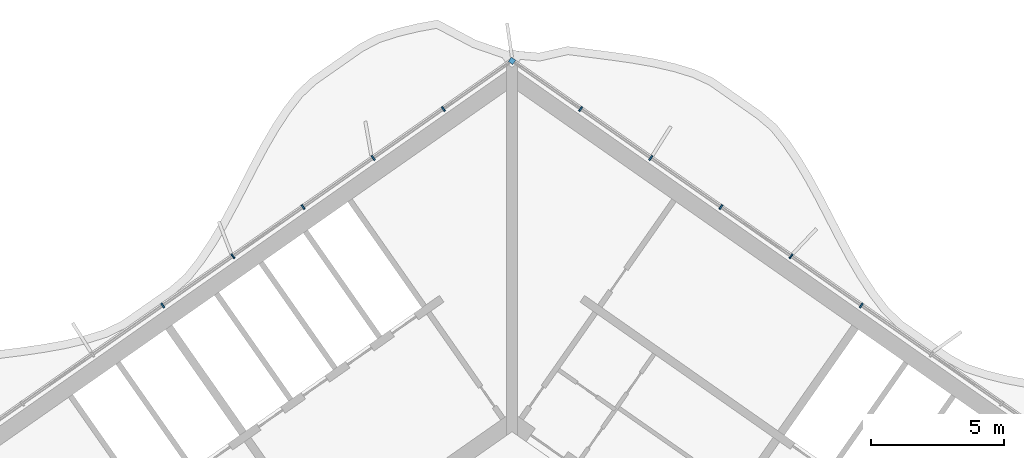
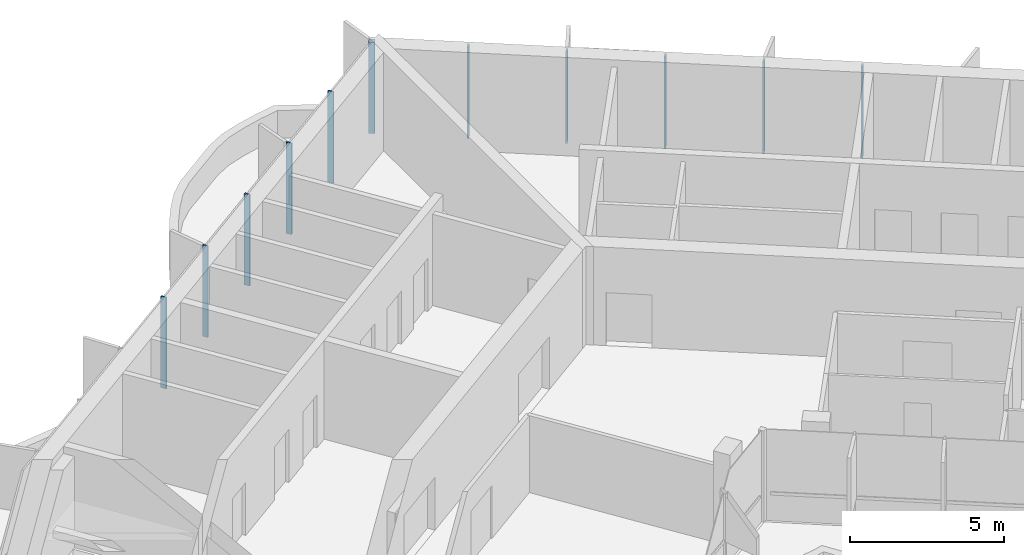
# One storey, part 6 of 18: 11 members, 1 element without a shape of its own.
"""IFC4 building model written with IfcOpenShell, lengths in metres."""

from ifc_helpers import new_model, si_unit, direction, frame, origin, origin_2d, place, context, subcontext, project, spatial, rectangle, extrude, material, material_profile, profile_set, type_object, element, aggregate, save


model = new_model("IFC4")

# Units and contexts
model_context = context("Model", 3, precision=1e-05, world=origin(), true_north=direction((0.0, 1.0)))
body_context = subcontext(model_context, "Body", "Model", "MODEL_VIEW")
ifc_project = project(units=[si_unit("LENGTHUNIT", "METRE"), si_unit("AREAUNIT", "SQUARE_METRE"), si_unit("VOLUMEUNIT", "CUBIC_METRE"), si_unit("PLANEANGLEUNIT", "RADIAN"), si_unit("MASSUNIT", "GRAM", prefix="KILO")], contexts=[model_context])

# Site, building, storey
site_placement = place(None, origin())
site = spatial("IfcSite", under=ifc_project, at=site_placement, CompositionType="ELEMENT")
building_placement = place(site_placement, origin())
building = spatial("IfcBuilding", under=site, at=building_placement, Name="Tel Ilan Convention Tower", CompositionType="ELEMENT")
storey_placement = place(building_placement, frame((0.0, 0.0, 252.699951171875)))
storey = spatial("IfcBuildingStorey", under=building, at=storey_placement, Name="L59", CompositionType="ELEMENT", Elevation=252.699951171875)

# Curtain wall, members
ifc_material_1 = material(Name="Aluminium, bronze anodised", Category="aluminium")
curtain_wall_type = type_object("IfcCurtainWallType", Name="CW2 STICK CURTAIN WALL, SPANDREL PANELS", PredefinedType="NOTDEFINED", material=ifc_material_1)
curtain_wall_placement = place(storey_placement, origin())
curtain_wall = element("IfcCurtainWall", 1, at=curtain_wall_placement, inside=storey, type_object=curtain_wall_type, Name="Curtain wall CW2-46.01", PredefinedType="NOTDEFINED")
ifc_material_2 = material(Name="Aluminium, bronze anodised", Category="aluminium")
ifc_material_profile_1 = material_profile(ifc_material_2, rectangle(XDim=0.199951171875, YDim=0.199951171875, at=origin_2d()), Name="CW CORNER MULLION 200x200")
ifc_profile_set_1 = profile_set([ifc_material_profile_1], Name="Aluminium, bronze anodised")
member_type_1 = type_object("IfcMemberType", Name="CW CORNER MULLION 200x200", PredefinedType="MULLION", material=ifc_profile_set_1)
member_1_placement = place(storey_placement, frame((0.0, 12.696044921875, 0.0), z_axis=(0.0, 0.0, 1.0), x_axis=(-0.819152044289, 0.573576436351, 0.0)))
member_1 = element("IfcMember", 2, at=member_1_placement, type_object=member_type_1, Name="Corner mullion", PredefinedType="MULLION", context=body_context, shape_type="SweptSolid", body=[
    extrude(rectangle(XDim=0.199951171875, YDim=0.199951171875, at=origin_2d()), origin(), (0.0, 0.0, 1.0), 3.6201171875),
])
ifc_material_3 = material(Name="Aluminium, bronze anodised", Category="aluminium")
ifc_material_profile_2 = material_profile(ifc_material_3, rectangle(XDim=0.06005859375, YDim=0.199951171875, at=origin_2d()), Name="CW MULLION 60x200")
ifc_profile_set_2 = profile_set([ifc_material_profile_2], Name="Aluminium, bronze anodised")
member_type_2 = type_object("IfcMemberType", Name="CW MULLION 60x200", PredefinedType="MULLION", material=ifc_profile_set_2)
member_2_placement = place(storey_placement, frame((13.105712890625, 3.519287109375, 0.0), z_axis=(0.0, 0.0, 1.0), x_axis=(-0.819152044289, 0.573576436351, 0.0)))
member_2 = element("IfcMember", 3, at=member_2_placement, type_object=member_type_2, Name="Mullion", PredefinedType="MULLION", context=body_context, shape_type="SweptSolid", body=[
    extrude(rectangle(XDim=0.06005859375, YDim=0.199951171875, at=origin_2d()), origin(), (0.0, 0.0, 1.0), 3.6201171875),
])
member_3_placement = place(storey_placement, frame((10.47314453125, 5.36279296875, 0.0), z_axis=(0.0, 0.0, 1.0), x_axis=(-0.819152044289, 0.573576436351, 0.0)))
member_3 = element("IfcMember", 4, at=member_3_placement, type_object=member_type_2, Name="Mullion", PredefinedType="MULLION", context=body_context, shape_type="SweptSolid", body=[
    extrude(rectangle(XDim=0.06005859375, YDim=0.199951171875, at=origin_2d()), origin(), (0.0, 0.0, 1.0), 3.6201171875),
])
member_4_placement = place(storey_placement, frame((7.840576171875, 7.2060546875, 0.0), z_axis=(0.0, 0.0, 1.0), x_axis=(-0.819152044289, 0.573576436351, 0.0)))
member_4 = element("IfcMember", 5, at=member_4_placement, type_object=member_type_2, Name="Mullion", PredefinedType="MULLION", context=body_context, shape_type="SweptSolid", body=[
    extrude(rectangle(XDim=0.06005859375, YDim=0.199951171875, at=origin_2d()), origin(), (0.0, 0.0, 1.0), 3.6201171875),
])
member_5_placement = place(storey_placement, frame((5.207763671875, 9.049560546875, 0.0), z_axis=(0.0, 0.0, 1.0), x_axis=(-0.819152044289, 0.573576436351, 0.0)))
member_5 = element("IfcMember", 6, at=member_5_placement, type_object=member_type_2, Name="Mullion", PredefinedType="MULLION", context=body_context, shape_type="SweptSolid", body=[
    extrude(rectangle(XDim=0.06005859375, YDim=0.199951171875, at=origin_2d()), origin(), (0.0, 0.0, 1.0), 3.6201171875),
])
member_6_placement = place(storey_placement, frame((2.5751953125, 10.892822265625, 0.0), z_axis=(0.0, 0.0, 1.0), x_axis=(-0.819152044289, 0.573576436351, 0.0)))
member_6 = element("IfcMember", 7, at=member_6_placement, type_object=member_type_2, Name="Mullion", PredefinedType="MULLION", context=body_context, shape_type="SweptSolid", body=[
    extrude(rectangle(XDim=0.06005859375, YDim=0.199951171875, at=origin_2d()), origin(), (0.0, 0.0, 1.0), 3.6201171875),
])
member_7_placement = place(storey_placement, frame((-2.5751953125, 10.892822265625, 0.0), z_axis=(0.0, 0.0, 1.0), x_axis=(-0.819152044289, -0.573576436351, 0.0)))
member_7 = element("IfcMember", 8, at=member_7_placement, type_object=member_type_2, Name="Mullion", PredefinedType="MULLION", context=body_context, shape_type="SweptSolid", body=[
    extrude(rectangle(XDim=0.06005859375, YDim=0.199951171875, at=origin_2d()), origin(), (0.0, 0.0, 1.0), 3.6201171875),
])
member_8_placement = place(storey_placement, frame((-5.207763671875, 9.049560546875, 0.0), z_axis=(0.0, 0.0, 1.0), x_axis=(-0.819152044289, -0.573576436351, 0.0)))
member_8 = element("IfcMember", 9, at=member_8_placement, type_object=member_type_2, Name="Mullion", PredefinedType="MULLION", context=body_context, shape_type="SweptSolid", body=[
    extrude(rectangle(XDim=0.06005859375, YDim=0.199951171875, at=origin_2d()), origin(), (0.0, 0.0, 1.0), 3.6201171875),
])
member_9_placement = place(storey_placement, frame((-7.840576171875, 7.2060546875, 0.0), z_axis=(0.0, 0.0, 1.0), x_axis=(-0.819152044289, -0.573576436351, 0.0)))
member_9 = element("IfcMember", 10, at=member_9_placement, type_object=member_type_2, Name="Mullion", PredefinedType="MULLION", context=body_context, shape_type="SweptSolid", body=[
    extrude(rectangle(XDim=0.06005859375, YDim=0.199951171875, at=origin_2d()), origin(), (0.0, 0.0, 1.0), 3.6201171875),
])
member_10_placement = place(storey_placement, frame((-10.47314453125, 5.36279296875, 0.0), z_axis=(0.0, 0.0, 1.0), x_axis=(-0.819152044289, -0.573576436351, 0.0)))
member_10 = element("IfcMember", 11, at=member_10_placement, type_object=member_type_2, Name="Mullion", PredefinedType="MULLION", context=body_context, shape_type="SweptSolid", body=[
    extrude(rectangle(XDim=0.06005859375, YDim=0.199951171875, at=origin_2d()), origin(), (0.0, 0.0, 1.0), 3.6201171875),
])
member_11_placement = place(storey_placement, frame((-13.105712890625, 3.519287109375, 0.0), z_axis=(0.0, 0.0, 1.0), x_axis=(-0.819152044289, -0.573576436351, 0.0)))
member_11 = element("IfcMember", 12, at=member_11_placement, type_object=member_type_2, Name="Mullion", PredefinedType="MULLION", context=body_context, shape_type="SweptSolid", body=[
    extrude(rectangle(XDim=0.06005859375, YDim=0.199951171875, at=origin_2d()), origin(), (0.0, 0.0, 1.0), 3.6201171875),
])
aggregate(curtain_wall, [member_2, member_3, member_4, member_5, member_6, member_1, member_7, member_8, member_9, member_10, member_11])

save(model, "model.ifc")
